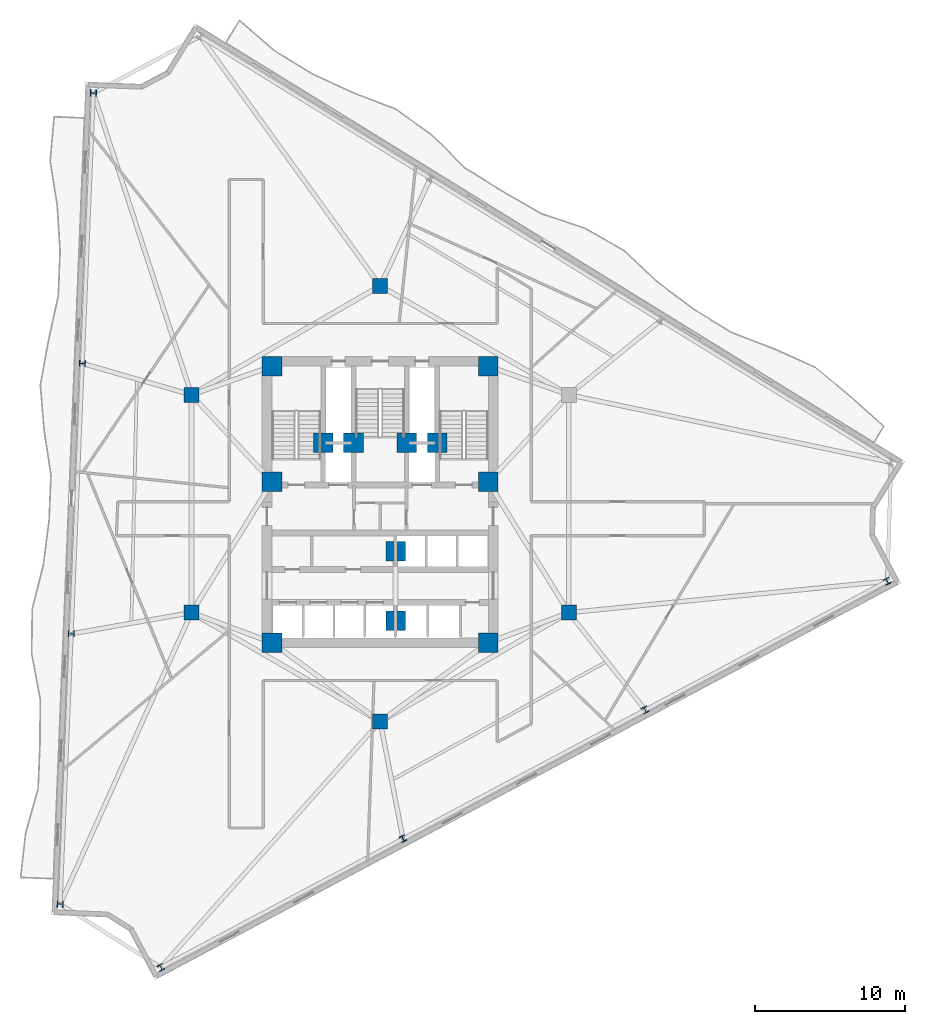
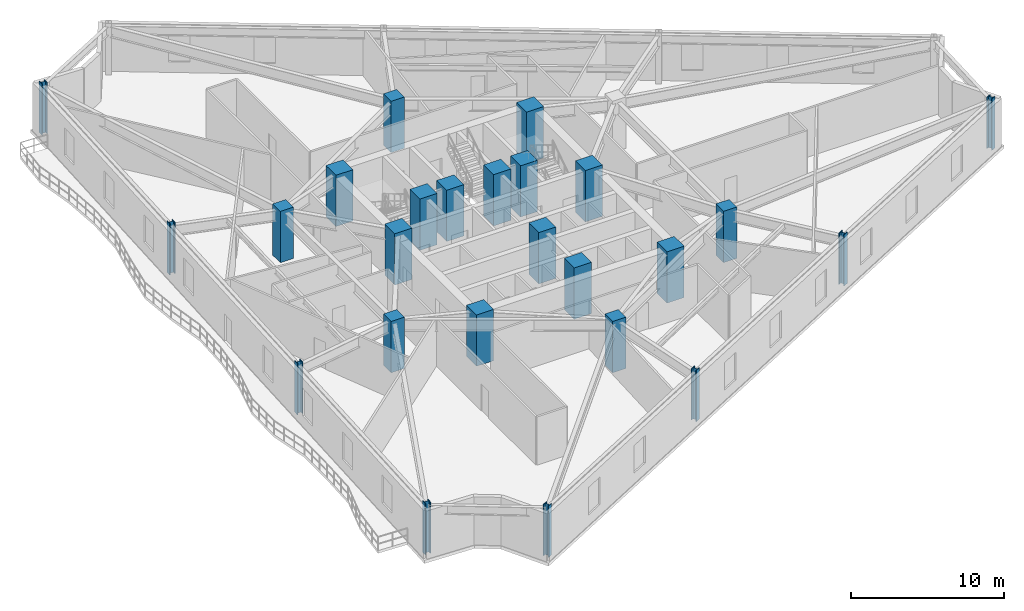
# One storey, part 1 of 10: 25 columns.
"""IFC4 building model written with IfcOpenShell, lengths in metres."""

import ifcopenshell
import ifcopenshell.guid

model = None  # the IFC model being written
_history = None  # IfcOwnerHistory: only IFC2X3 demands one
_inside = {}  # id of a spatial element -> (the spatial element, [elements in it])
_under = {}  # id of a project, library or spatial element -> (it, [spatial elements below it])
_declared = {}  # id of a project -> (the project, [libraries it declares])
_typed = {}  # id of a type object -> (the type object, [elements of that type])
_made_of = {}  # id of a material, layer set ... -> (it, [elements and type objects made of it])


def new_model(schema):
    """Start an empty IFC model of exactly this schema.

    Asked for "IFC4X3", IfcOpenShell would pick the latest addendum, in which some entities
    have other attributes; the version numbers below select the first issue.
    IFC2X3 requires an IfcOwnerHistory on every rooted entity: one is made here for all.
    """
    global model, _history
    if schema == "IFC4X3":
        model = ifcopenshell.file(schema_version=(4, 3, 0, 0))
    else:
        model = ifcopenshell.file(schema=schema)
    _inside.clear()
    _under.clear()
    _declared.clear()
    _typed.clear()
    _made_of.clear()
    _history = None
    if model.schema == "IFC2X3":
        org = make("IfcOrganization", Name="unknown")
        user = make(
            "IfcPersonAndOrganization",
            ThePerson=make("IfcPerson", FamilyName="unknown"),
            TheOrganization=org,
        )
        app = make(
            "IfcApplication",
            ApplicationDeveloper=org,
            Version="unknown",
            ApplicationFullName="unknown",
            ApplicationIdentifier="unknown",
        )
        _history = make(
            "IfcOwnerHistory",
            OwningUser=user,
            OwningApplication=app,
            ChangeAction="ADDED",
            CreationDate=0,
        )
    return model


def make(cls, **values):
    """One entity of the class cls with the attributes given. An attribute that is None is left unset."""
    return model.create_entity(
        cls, **{name: value for name, value in values.items() if value is not None}
    )


def rooted(cls, **values):
    """An entity with a GlobalId (a new one), such as an element, a storey or a relation."""
    return make(cls, GlobalId=ifcopenshell.guid.new(), OwnerHistory=_history, **values)


def si_unit(unit_type, name, prefix=None):
    """IfcSIUnit, for example si_unit("LENGTHUNIT", "METRE", prefix="MILLI")."""
    return make("IfcSIUnit", UnitType=unit_type, Prefix=prefix, Name=name)


def assignment(units):
    """IfcUnitAssignment: the units of a project."""
    return None if units is None else make("IfcUnitAssignment", Units=units)


def point(xyz):
    """IfcCartesianPoint."""
    return None if xyz is None else make("IfcCartesianPoint", Coordinates=xyz)


def direction(xyz):
    """IfcDirection."""
    return None if xyz is None else make("IfcDirection", DirectionRatios=xyz)


def frame(location, z_axis=None, x_axis=None):
    """IfcAxis2Placement3D, a coordinate frame: its origin and axes. An axis left out is left unset."""
    return make(
        "IfcAxis2Placement3D",
        Location=point(location),
        Axis=direction(z_axis),
        RefDirection=direction(x_axis),
    )


def frame_2d(location, x_axis=None):
    """IfcAxis2Placement2D, a coordinate frame in the plane: its origin and x axis."""
    return make(
        "IfcAxis2Placement2D", Location=point(location), RefDirection=direction(x_axis)
    )


def origin():
    """The frame at (0, 0, 0) with its axes left unset."""
    return frame((0.0, 0.0, 0.0))


def origin_2d():
    """The frame at (0, 0) in the plane with its x axis left unset."""
    return frame_2d((0.0, 0.0))


def place(relative_to, where):
    """IfcLocalPlacement: puts the frame where relative to a parent placement (None: the world)."""
    return make(
        "IfcLocalPlacement", PlacementRelTo=relative_to, RelativePlacement=where
    )


def context(
    kind, dimensions, precision=None, world=None, true_north=None, identifier=None
):
    """IfcGeometricRepresentationContext, for example the 3D "Model" context."""
    return make(
        "IfcGeometricRepresentationContext",
        ContextIdentifier=identifier,
        ContextType=kind,
        CoordinateSpaceDimension=dimensions,
        Precision=precision,
        WorldCoordinateSystem=world,
        TrueNorth=true_north,
    )


def subcontext(parent, identifier, kind, view, scale=None):
    """IfcGeometricRepresentationSubContext, for example "Body" below "Model"."""
    return make(
        "IfcGeometricRepresentationSubContext",
        ContextIdentifier=identifier,
        ContextType=kind,
        ParentContext=parent,
        TargetScale=scale,
        TargetView=view,
    )


def project(units=None, contexts=None):
    """IfcProject with its units and contexts."""
    return rooted(
        "IfcProject",
        Name="project",
        RepresentationContexts=contexts,
        UnitsInContext=assignment(units),
    )


def spatial(cls, under=None, at=None, **own):
    """A site, building, storey or space (cls), placed at a placement, below another one or the project."""
    s = rooted(cls, ObjectPlacement=at, **own)
    if under is not None:
        _under.setdefault(under.id(), (under, []))[1].append(s)
    return s


def profile(cls, at=None, kind="AREA", **sizes):
    """A parametric profile (cls). Its sizes go by their IFC names, for example OverallWidth=200.0."""
    return make(cls, ProfileType=kind, Position=at, **sizes)


def rectangle(**sizes):
    """IfcRectangleProfileDef."""
    return profile("IfcRectangleProfileDef", **sizes)


def i_section(**sizes):
    """IfcIShapeProfileDef."""
    return profile("IfcIShapeProfileDef", **sizes)


def extrude(swept, where, along, depth):
    """IfcExtrudedAreaSolid: the profile swept, set in the frame where, extruded along a direction by depth."""
    return make(
        "IfcExtrudedAreaSolid",
        SweptArea=swept,
        Position=where,
        ExtrudedDirection=direction(along),
        Depth=depth,
    )


def shape(context_of_items, identifier, shape_type, items):
    """IfcShapeRepresentation: the items that make up one representation, for example the "Body"."""
    return make(
        "IfcShapeRepresentation",
        ContextOfItems=context_of_items,
        RepresentationIdentifier=identifier,
        RepresentationType=shape_type,
        Items=items,
    )


def material(Name=None, Category=None):
    """IfcMaterial."""
    return make("IfcMaterial", Name=Name, Category=Category)


def material_profile(
    of_material, cross_section, Name=None, Category=None, Priority=None
):
    """IfcMaterialProfile: a cross section and its material."""
    return make(
        "IfcMaterialProfile",
        Name=Name,
        Material=of_material,
        Profile=cross_section,
        Priority=Priority,
        Category=Category,
    )


def profile_set(profiles, Name=None, composite=None):
    """IfcMaterialProfileSet."""
    return make(
        "IfcMaterialProfileSet",
        Name=Name,
        MaterialProfiles=profiles,
        CompositeProfile=composite,
    )


def made_of(thing, what):
    """Note that an element or type object is made of a material, layer set ...; save() writes the relation."""
    if what is not None:
        _made_of.setdefault(what.id(), (what, []))[1].append(thing)
    return thing


def type_object(cls, material=None, **own):
    """A type object (cls), such as IfcWallType, which elements share."""
    return made_of(rooted(cls, **own), material)


def element(
    cls,
    number,
    at=None,
    inside=None,
    cuts=None,
    type_object=None,
    material=None,
    context=None,
    identifier="Body",
    shape_type=None,
    held_by="IfcProductDefinitionShape",
    body=None,
    shapes=None,
    **own,
):
    """One element of the class cls, such as IfcWall. Its Tag is "e" and its number.

    at: its placement. inside: the storey or other place that contains it. cuts: it is an
    opening in that element (IfcRelVoidsElement). A single representation is given by context,
    identifier, shape_type and body (its items); several are given by shapes. held_by: the class
    of the entity that holds the representations. save() writes the other relations.
    """
    e = rooted(cls, Tag="e%d" % number, ObjectPlacement=at, **own)
    if body is not None:
        shapes = [shape(context, identifier, shape_type, body)]
    if shapes is not None:
        e.Representation = make(held_by, Representations=shapes)
    if inside is not None:
        _inside.setdefault(inside.id(), (inside, []))[1].append(e)
    if cuts is not None:
        rooted(
            "IfcRelVoidsElement", RelatingBuildingElement=cuts, RelatedOpeningElement=e
        )
    if type_object is not None:
        _typed.setdefault(type_object.id(), (type_object, []))[1].append(e)
    return made_of(e, material)


def aggregate(whole, parts):
    """IfcRelAggregates: a whole, such as a stair, and the parts it consists of."""
    return rooted("IfcRelAggregates", RelatingObject=whole, RelatedObjects=parts)


def save(model, path):
    """Write the relations noted so far, then the file.

    IfcRelAggregates (storeys below a building ...), IfcRelContainedInSpatialStructure (elements
    in a storey), IfcRelDefinesByType, IfcRelAssociatesMaterial and IfcRelDeclares: one each for
    every whole, place, type object, material and project.
    """
    for whole, parts in _under.values():
        aggregate(whole, parts)
    for where, things in _inside.values():
        rooted(
            "IfcRelContainedInSpatialStructure",
            RelatedElements=things,
            RelatingStructure=where,
        )
    for kind, things in _typed.values():
        rooted("IfcRelDefinesByType", RelatedObjects=things, RelatingType=kind)
    for what, things in _made_of.values():
        rooted("IfcRelAssociatesMaterial", RelatedObjects=things, RelatingMaterial=what)
    for by, libraries in _declared.values():
        rooted("IfcRelDeclares", RelatingContext=by, RelatedDefinitions=libraries)
    model.write(path)


model = new_model("IFC4")

# Units and contexts
model_context = context("Model", 3, precision=1e-05, world=origin(), true_north=direction((0.0, 1.0)))
body_context = subcontext(model_context, "Body", "Model", "MODEL_VIEW")
ifc_project = project(units=[si_unit("LENGTHUNIT", "METRE"), si_unit("AREAUNIT", "SQUARE_METRE"), si_unit("VOLUMEUNIT", "CUBIC_METRE"), si_unit("PLANEANGLEUNIT", "RADIAN"), si_unit("MASSUNIT", "GRAM", prefix="KILO")], contexts=[model_context])

# Site, building, storey
site_placement = place(None, origin())
site = spatial("IfcSite", under=ifc_project, at=site_placement, CompositionType="ELEMENT")
building_placement = place(site_placement, origin())
building = spatial("IfcBuilding", under=site, at=building_placement, Name="Apsidion Concourse Tower", CompositionType="ELEMENT")
storey_placement = place(building_placement, frame((0.0, 0.0, 177.800048828125)))
storey = spatial("IfcBuildingStorey", under=building, at=storey_placement, Name="L41", CompositionType="ELEMENT", Elevation=177.800048828125)

# Columns
ifc_material_1 = material(Name="Concrete C50/60", Category="concrete")
ifc_material_profile_1 = material_profile(ifc_material_1, rectangle(XDim=1.0, YDim=1.0, at=origin_2d()), Name="RC 1000x1000")
ifc_profile_set_1 = profile_set([ifc_material_profile_1], Name="Concrete C50/60")
column_type_1 = type_object("IfcColumnType", Name="COL-RC-1000", PredefinedType="COLUMN", material=ifc_profile_set_1)
for number, where, z_axis, x_axis, name in (
    (1, (-12.56005859375, -7.25, 0.0), (0.0, 0.0, 1.0), (1.0, 0.0, 0.0), "L41 Interior Spine Column IC1"),
    (2, (12.56005859375, -7.25, 0.0), (0.0, 0.0, 1.0), (1.0, 0.0, 0.0), "L41 Interior Spine Column IC2"),
    (3, (0.0, 14.5, 0.0), (0.0, 0.0, 1.0), (1.0, 0.0, 0.0), "L41 Interior Spine Column IC4"),
    (4, (-12.56005859375, 7.25, 0.0), (0.0, 0.0, 1.0), (1.0, 0.0, 0.0), "L41 Interior Spine Column IC5"),
    (5, (0.0, -14.5, 0.0), (0.0, 0.0, 1.0), (1.0, 0.0, 0.0), "L41 Interior Spine Column IC6"),
):
    element("IfcColumn", number, at=place(storey_placement, frame(where, z_axis=z_axis, x_axis=x_axis)), inside=storey, type_object=column_type_1, Name=name, PredefinedType="COLUMN", context=body_context, shape_type="SweptSolid", body=[
        extrude(rectangle(XDim=1.0, YDim=1.0, at=origin_2d()), origin(), (0.0, 0.0, 1.0), 4.099853515625),
    ])
ifc_material_profile_2 = material_profile(ifc_material_1, rectangle(XDim=1.300048828125, YDim=1.300048828125, at=origin_2d()), Name="RC 1300x1300")
ifc_profile_set_2 = profile_set([ifc_material_profile_2], Name="Concrete C50/60")
column_type_2 = type_object("IfcColumnType", Name="COL-RC-1300", PredefinedType="COLUMN", material=ifc_profile_set_2)
for number, where, z_axis, x_axis, name in (
    (6, (-7.199951171875, -9.25, 0.0), (0.0, 0.0, 1.0), (1.0, 0.0, 0.0), "L41 Core Super-Column SC1"),
    (7, (7.199951171875, -9.25, 0.0), (0.0, 0.0, 1.0), (1.0, 0.0, 0.0), "L41 Core Super-Column SC2"),
    (8, (7.199951171875, 1.449951171875, 0.0), (0.0, 0.0, 1.0), (1.0, 0.0, 0.0), "L41 Core Super-Column SC3"),
    (9, (7.199951171875, 9.14990234375, 0.0), (0.0, 0.0, 1.0), (1.0, 0.0, 0.0), "L41 Core Super-Column SC4"),
    (10, (-7.199951171875, 9.14990234375, 0.0), (0.0, 0.0, 1.0), (1.0, 0.0, 0.0), "L41 Core Super-Column SC5"),
    (11, (-7.199951171875, 1.449951171875, 0.0), (0.0, 0.0, 1.0), (1.0, 0.0, 0.0), "L41 Core Super-Column SC6"),
    (12, (-3.800048828125, 4.050048828125, 0.0), (0.0, 0.0, 1.0), (1.0, 0.0, 0.0), "L41 Core Super-Column CC1"),
    (13, (3.800048828125, 4.050048828125, 0.0), (0.0, 0.0, 1.0), (1.0, 0.0, 0.0), "L41 Core Super-Column CC2"),
    (14, (-1.77490234375, 4.050048828125, 0.0), (0.0, 0.0, 1.0), (1.0, 0.0, 0.0), "L41 Core Super-Column CC3"),
    (15, (1.77490234375, 4.050048828125, 0.0), (0.0, 0.0, 1.0), (1.0, 0.0, 0.0), "L41 Core Super-Column CC4"),
    (16, (1.02490234375, -3.14990234375, 0.0), (0.0, 0.0, 1.0), (1.0, 0.0, 0.0), "L41 Core Super-Column CC5"),
    (17, (1.02490234375, -7.800048828125, 0.0), (0.0, 0.0, 1.0), (1.0, 0.0, 0.0), "L41 Core Super-Column CC6"),
):
    element("IfcColumn", number, at=place(storey_placement, frame(where, z_axis=z_axis, x_axis=x_axis)), inside=storey, type_object=column_type_2, Name=name, PredefinedType="COLUMN", context=body_context, shape_type="SweptSolid", body=[
        extrude(rectangle(XDim=1.300048828125, YDim=1.300048828125, at=origin_2d()), origin(), (0.0, 0.0, 1.0), 4.099853515625),
    ])
ifc_material_2 = material(Name="Structural steel ASTM A992 Grade 50", Category="steel")
ifc_material_profile_3 = material_profile(ifc_material_2, i_section(OverallWidth=0.406005859375, OverallDepth=0.4169921875, WebThickness=0.02978515625, FlangeThickness=0.048095703125, at=origin_2d()), Name="W14X257")
ifc_profile_set_3 = profile_set([ifc_material_profile_3], Name="Structural steel ASTM A992 Grade 50")
column_type_3 = type_object("IfcColumnType", Name="COL-W14-257", PredefinedType="COLUMN", material=ifc_profile_set_3)
for number, where, z_axis, x_axis, name in (
    (18, (-19.086181640625, 27.331298828125, 0.0), (0.0, 0.0, 1.0), (0.041003738744, 0.999158993058, 0.0), "L41 Rotated Perimeter Column PC01"),
    (19, (-19.82421875, 9.3349609375, 0.0), (0.0, 0.0, 1.0), (0.041003738744, 0.999158993058, 0.0), "L41 Rotated Perimeter Column PC02"),
    (20, (-20.56201171875, -8.661376953125, 0.0), (0.0, 0.0, 1.0), (0.041003738744, 0.999158993058, 0.0), "L41 Rotated Perimeter Column PC03"),
    (21, (-21.300048828125, -26.65771484375, 0.0), (0.0, 0.0, 1.0), (0.041003738744, 0.999158993058, 0.0), "L41 Rotated Perimeter Column PC04"),
    (22, (-14.599609375, -30.872802734375, 0.0), (0.0, 0.0, 1.0), (0.882947592859, 0.469471562786, 0.0), "L41 Rotated Perimeter Column PC05"),
    (23, (1.519775390625, -22.302001953125, 0.0), (0.0, 0.0, 1.0), (0.882947592859, 0.469471562786, 0.0), "L41 Rotated Perimeter Column PC06"),
    (24, (17.639404296875, -13.731201171875, 0.0), (0.0, 0.0, 1.0), (0.882947592859, 0.469471562786, 0.0), "L41 Rotated Perimeter Column PC07"),
    (25, (33.7587890625, -5.160400390625, 0.0), (0.0, 0.0, 1.0), (0.882947592859, 0.469471562786, 0.0), "L41 Rotated Perimeter Column PC08"),
):
    element("IfcColumn", number, at=place(storey_placement, frame(where, z_axis=z_axis, x_axis=x_axis)), inside=storey, type_object=column_type_3, Name=name, PredefinedType="COLUMN", context=body_context, shape_type="SweptSolid", body=[
        extrude(i_section(OverallWidth=0.406005859375, OverallDepth=0.4169921875, WebThickness=0.02978515625, FlangeThickness=0.048095703125, at=origin_2d()), origin(), (0.0, 0.0, 1.0), 4.099853515625),
    ])

save(model, "model.ifc")
